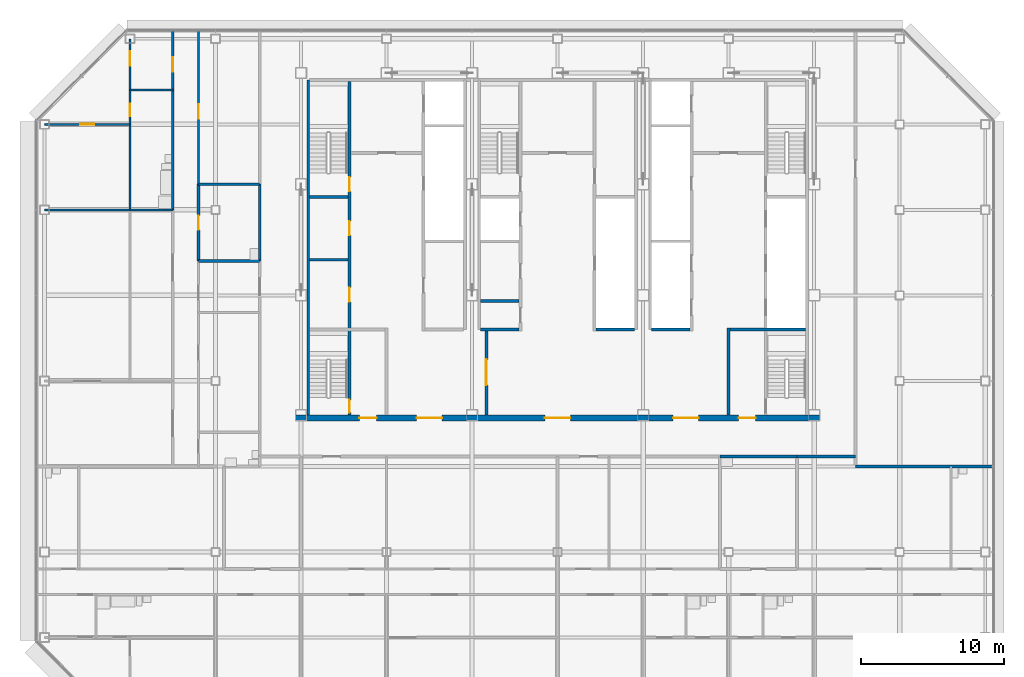
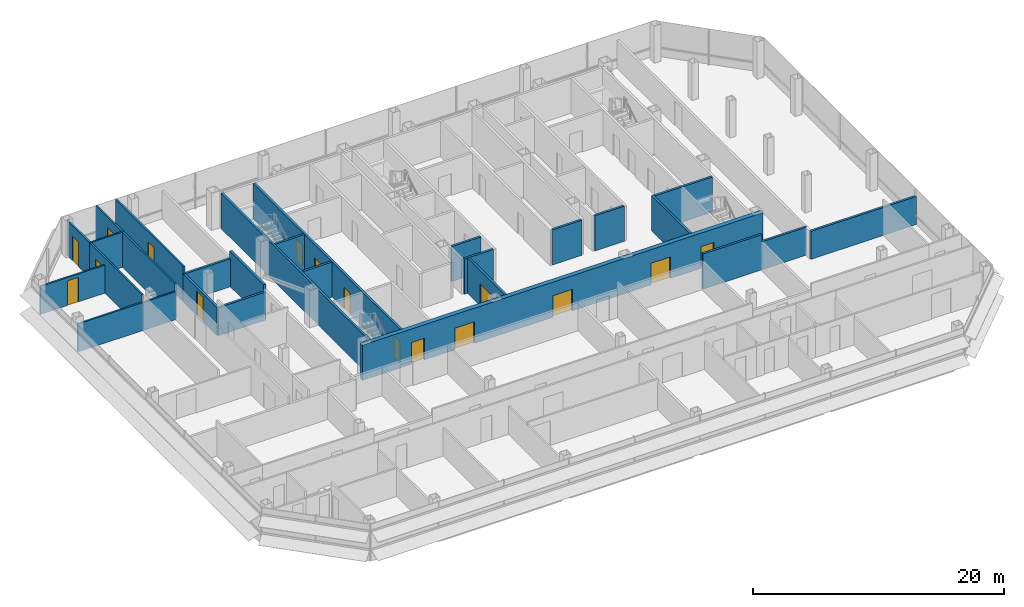
# One storey, part 22 of 26: 28 walls, 16 doors, 16 openings.
"""IFC4 building model written with IfcOpenShell, lengths in metres."""

from ifc_helpers import new_model, si_unit, direction, frame, frame_2d, origin, place, context, subcontext, project, spatial, rectangle, extrude, material, layer, layer_set, type_object, element, fill, save


model = new_model("IFC4")

# Units and contexts
model_context = context("Model", 3, precision=1e-05, world=origin(), true_north=direction((0.0, 1.0)))
body_context = subcontext(model_context, "Body", "Model", "MODEL_VIEW")
ifc_project = project(units=[si_unit("LENGTHUNIT", "METRE"), si_unit("AREAUNIT", "SQUARE_METRE"), si_unit("VOLUMEUNIT", "CUBIC_METRE"), si_unit("PLANEANGLEUNIT", "RADIAN"), si_unit("MASSUNIT", "GRAM", prefix="KILO")], contexts=[model_context])

# Site, building, storey
site_placement = place(None, origin())
site = spatial("IfcSite", under=ifc_project, at=site_placement, CompositionType="ELEMENT")
building_placement = place(site_placement, origin())
building = spatial("IfcBuilding", under=site, at=building_placement, Name="Sorahane Residences", CompositionType="ELEMENT")
storey_placement = place(building_placement, frame((0.0, 0.0, 243.199951171875)))
storey = spatial("IfcBuildingStorey", under=building, at=storey_placement, Name="L57", CompositionType="ELEMENT", Elevation=243.199951171875)

# Walls
ifc_material_1 = material(Name="Concrete C30", Category="concrete")
ifc_layer_1 = layer(ifc_material_1, 0.199951171875)
ifc_layer_set_1 = layer_set([ifc_layer_1], Name="Core face wall 200 EI 180")
wall_type_1 = type_object("IfcWallType", Name="Core face wall 200 EI 180", PredefinedType="SOLIDWALL", material=ifc_layer_set_1)
wall_1_placement = place(storey_placement, frame((6.5, 21.60009765625, 0.0), z_axis=(0.0, 0.0, 1.0), x_axis=(0.0, 1.0, 0.0)))
element("IfcWall", 1, at=wall_1_placement, inside=storey, type_object=wall_type_1, Name="L57 core face wall", PredefinedType="SOLIDWALL", context=body_context, shape_type="SweptSolid", body=[
    extrude(rectangle(XDim=23.5, YDim=0.199951171875, at=frame_2d((11.75, 0.0))), origin(), (0.0, 0.0, 1.0), 3.420166015625),
])
ifc_material_2 = material(Name="Concrete blockwork C20 wall", Category="masonry")
ifc_layer_2 = layer(ifc_material_2, 0.199951171875)
ifc_layer_set_2 = layer_set([ifc_layer_2], Name="Corridor wall 200 EI 120")
wall_type_2 = type_object("IfcWallType", Name="Corridor wall 200 EI 120", PredefinedType="SOLIDWALL", material=ifc_layer_set_2)
wall_2_placement = place(storey_placement, frame((44.89990234375, 18.0, 0.0), z_axis=(0.0, 0.0, 1.0), x_axis=(1.0, 0.0, 0.0)))
element("IfcWall", 2, at=wall_2_placement, inside=storey, type_object=wall_type_2, Name="L57 corridor wall", PredefinedType="SOLIDWALL", context=body_context, shape_type="SweptSolid", body=[
    extrude(rectangle(XDim=9.7001953125, YDim=0.199951171875, at=frame_2d((4.85009765625, 0.0))), origin(), (0.0, 0.0, 1.0), 2.719970703125),
])
wall_3_placement = place(storey_placement, frame((40.800048828125, 18.699951171875, 0.0), z_axis=(0.0, 0.0, 1.0), x_axis=(1.0, 0.0, 0.0)))
element("IfcWall", 3, at=wall_3_placement, inside=storey, type_object=wall_type_2, Name="L57 corridor wall", PredefinedType="SOLIDWALL", context=body_context, shape_type="SweptSolid", body=[
    extrude(rectangle(XDim=4.099853515625, YDim=0.199951171875, at=frame_2d((2.0498046875, 0.0))), origin(), (0.0, 0.0, 1.0), 2.719970703125),
])
ifc_material_3 = material(Name="Concrete C30", Category="concrete")
ifc_layer_3 = layer(ifc_material_3, 0.199951171875)
ifc_layer_set_3 = layer_set([ifc_layer_3], Name="Front room wall 200 EI 120")
wall_type_3 = type_object("IfcWallType", Name="Front room wall 200 EI 120", PredefinedType="PARTITIONING", material=ifc_layer_set_3)
wall_4_placement = place(storey_placement, frame((36.0, 21.60009765625, 0.0), z_axis=(0.0, 0.0, 1.0), x_axis=(0.0, 1.0, 0.0)))
element("IfcWall", 4, at=wall_4_placement, inside=storey, type_object=wall_type_3, Name="L57 front room wall", PredefinedType="PARTITIONING", context=body_context, shape_type="SweptSolid", body=[
    extrude(rectangle(XDim=6.099853515625, YDim=0.199951171875, at=frame_2d((3.0498046875, 0.0))), origin(), (0.0, 0.0, 1.0), 3.420166015625),
])

# Wall, opening, door
ifc_material_4 = material(Name="Concrete blockwork C20 wall", Category="masonry")
ifc_layer_4 = layer(ifc_material_4, 0.199951171875)
ifc_layer_set_4 = layer_set([ifc_layer_4], Name="Kitchen wall 200 EI 180")
wall_type_4 = type_object("IfcWallType", Name="Kitchen wall 200 EI 180", PredefinedType="SOLIDWALL", material=ifc_layer_set_4)
wall_5_placement = place(storey_placement, frame((-1.199951171875, 32.39990234375, 0.0), z_axis=(0.0, 0.0, 1.0), x_axis=(0.0, 1.0, 0.0)))
wall_5 = element("IfcWall", 5, at=wall_5_placement, inside=storey, type_object=wall_type_4, Name="L57 kitchen wall", PredefinedType="SOLIDWALL", context=body_context, shape_type="SweptSolid", body=[
    extrude(rectangle(XDim=5.400146484375, YDim=0.199951171875, at=frame_2d((2.7001953125, 0.0))), origin(), (0.0, 0.0, 1.0), 2.719970703125),
])
opening_1_placement = place(wall_5_placement, frame((2.199951171875, 0.0, 0.0)))
opening_1 = element("IfcOpeningElement", 6, at=opening_1_placement, cuts=wall_5, Name="Opening L57-31", PredefinedType="OPENING", context=body_context, shape_type="SweptSolid", body=[
    extrude(rectangle(XDim=1.0, YDim=2.39990234375, at=frame_2d((0.5, 1.199951171875))), frame((0.0, 0.10986328125, 0.0), z_axis=(0.0, -1.0, 0.0), x_axis=(1.0, 0.0, 0.0)), (0.0, 0.0, 1.0), 0.219970703125),
])
ifc_material_5 = material(Name="Steel", Category="steel")
door_type_1 = type_object("IfcDoorType", Name="Kitchen door 1000x2400 FD120", OperationType="NOTDEFINED", PredefinedType="DOOR", material=ifc_material_5)
door_1_placement = place(opening_1_placement, frame((1.0, 0.0, 0.0), z_axis=(0.0, 0.0, 1.0), x_axis=(-1.0, 0.0, 0.0)))
door_1 = element("IfcDoor", 7, at=door_1_placement, inside=storey, type_object=door_type_1, Name="Kitchen door L57-31", OperationType="SINGLE_SWING_LEFT", OverallHeight=2.39990234375, OverallWidth=1.0, PredefinedType="DOOR", context=body_context, shape_type="SweptSolid", body=[
    extrude(rectangle(XDim=1.0, YDim=2.39990234375, at=frame_2d((0.5, 1.199951171875))), frame((0.0, 0.02490234375, 0.0), z_axis=(0.0, -1.0, 0.0), x_axis=(1.0, 0.0, 0.0)), (0.0, 0.0, 1.0), 0.050048828125),
])
fill(opening_1, door_1)

# Walls
for number, where, z_axis, x_axis, name in (
    (8, (3.10009765625, 32.39990234375, 0.0), (0.0, 0.0, 1.0), (0.0, 1.0, 0.0), "L57 kitchen wall"),
    (9, (35.39990234375, 18.699951171875, 0.0), (0.0, 0.0, 1.0), (1.0, 0.0, 0.0), "L57 kitchen wall"),
):
    element("IfcWall", number, at=place(storey_placement, frame(where, z_axis=z_axis, x_axis=x_axis)), inside=storey, type_object=wall_type_4, Name=name, PredefinedType="SOLIDWALL", context=body_context, shape_type="SweptSolid", body=[
        extrude(rectangle(XDim=5.400146484375, YDim=0.199951171875, at=frame_2d((2.7001953125, 0.0))), origin(), (0.0, 0.0, 1.0), 3.420166015625),
    ])
for number, where, z_axis, x_axis, name in (
    (10, (-1.199951171875, 32.39990234375, 0.0), (0.0, 0.0, 1.0), (1.0, 0.0, 0.0), "L57 kitchen wall"),
    (11, (-1.199951171875, 37.800048828125, 0.0), (0.0, 0.0, 1.0), (1.0, 0.0, 0.0), "L57 kitchen wall"),
):
    element("IfcWall", number, at=place(storey_placement, frame(where, z_axis=z_axis, x_axis=x_axis)), inside=storey, type_object=wall_type_4, Name=name, PredefinedType="SOLIDWALL", context=body_context, shape_type="SweptSolid", body=[
        extrude(rectangle(XDim=4.300048828125, YDim=0.199951171875, at=frame_2d((2.14990234375, 0.0))), origin(), (0.0, 0.0, 1.0), 2.719970703125),
    ])
ifc_material_6 = material(Name="Concrete C30", Category="concrete")
ifc_layer_5 = layer(ifc_material_6, 0.199951171875)
ifc_layer_set_5 = layer_set([ifc_layer_5], Name="Lift shaft wall 200 EI 120")
wall_type_5 = type_object("IfcWallType", Name="Lift shaft wall 200 EI 120", PredefinedType="SOLIDWALL", material=ifc_layer_set_5)
wall_6_placement = place(storey_placement, frame((30.60009765625, 27.60009765625, 0.0), z_axis=(0.0, 0.0, 1.0), x_axis=(1.0, 0.0, 0.0)))
element("IfcWall", 12, at=wall_6_placement, inside=storey, type_object=wall_type_5, Name="L57 lift shaft wall", PredefinedType="SOLIDWALL", context=body_context, shape_type="SweptSolid", body=[
    extrude(rectangle(XDim=2.699951171875, YDim=0.199951171875, at=frame_2d((1.35009765625, 0.0))), origin(), (0.0, 0.0, 1.0), 3.420166015625),
])

# Wall, opening, door
ifc_material_7 = material(Name="Gypsum board partition on steel studs", Category="steel")
ifc_layer_6 = layer(ifc_material_7, 0.14990234375)
ifc_layer_set_6 = layer_set([ifc_layer_6], Name="Partition 150 EI 90")
wall_type_6 = type_object("IfcWallType", Name="Partition 150 EI 90", PredefinedType="PARTITIONING", material=ifc_layer_set_6)
wall_7_placement = place(storey_placement, frame((-1.199951171875, 37.800048828125, 0.0), z_axis=(0.0, 0.0, 1.0), x_axis=(0.0, 1.0, 0.0)))
wall_7 = element("IfcWall", 13, at=wall_7_placement, inside=storey, type_object=wall_type_6, Name="L57 partition", PredefinedType="PARTITIONING", context=body_context, shape_type="SweptSolid", body=[
    extrude(rectangle(XDim=10.800048828125, YDim=0.14990234375, at=frame_2d((5.39990234375, 0.0))), origin(), (0.0, 0.0, 1.0), 3.420166015625),
])
opening_2_placement = place(wall_7_placement, frame((4.60009765625, 0.0, 0.0)))
opening_2 = element("IfcOpeningElement", 14, at=opening_2_placement, cuts=wall_7, Name="Opening L57-32", PredefinedType="OPENING", context=body_context, shape_type="SweptSolid", body=[
    extrude(rectangle(XDim=1.0, YDim=2.39990234375, at=frame_2d((0.5, 1.199951171875))), frame((0.0, 0.0849609375, 0.0), z_axis=(0.0, -1.0, 0.0), x_axis=(1.0, 0.0, 0.0)), (0.0, 0.0, 1.0), 0.169921875),
])
ifc_material_8 = material(Name="Timber veneered fire door", Category="wood")
door_type_2 = type_object("IfcDoorType", Name="Room door 1000x2400 FD30", OperationType="NOTDEFINED", PredefinedType="DOOR", material=ifc_material_8)
door_2_placement = place(opening_2_placement, frame((1.0, 0.0, 0.0), z_axis=(0.0, 0.0, 1.0), x_axis=(-1.0, 0.0, 0.0)))
door_2 = element("IfcDoor", 15, at=door_2_placement, inside=storey, type_object=door_type_2, Name="Room door L57-32", OperationType="SINGLE_SWING_LEFT", OverallHeight=2.39990234375, OverallWidth=1.0, PredefinedType="DOOR", context=body_context, shape_type="SweptSolid", body=[
    extrude(rectangle(XDim=1.0, YDim=2.39990234375, at=frame_2d((0.5, 1.199951171875))), frame((0.0, 0.02490234375, 0.0), z_axis=(0.0, -1.0, 0.0), x_axis=(1.0, 0.0, 0.0)), (0.0, 0.0, 1.0), 0.050048828125),
])
fill(opening_2, door_2)

wall_8_placement = place(storey_placement, frame((-3.0, 44.39990234375, 0.0), z_axis=(0.0, 0.0, 1.0), x_axis=(0.0, 1.0, 0.0)))
wall_8 = element("IfcWall", 16, at=wall_8_placement, inside=storey, type_object=wall_type_6, Name="L57 partition", PredefinedType="PARTITIONING", context=body_context, shape_type="SweptSolid", body=[
    extrude(rectangle(XDim=4.2001953125, YDim=0.14990234375, at=frame_2d((2.10009765625, 0.0))), origin(), (0.0, 0.0, 1.0), 3.420166015625),
])
opening_3_placement = place(wall_8_placement, frame((1.300048828125, 0.0, 0.0)))
opening_3 = element("IfcOpeningElement", 17, at=opening_3_placement, cuts=wall_8, Name="Opening L57-36", PredefinedType="OPENING", context=body_context, shape_type="SweptSolid", body=[
    extrude(rectangle(XDim=1.0, YDim=2.39990234375, at=frame_2d((0.5, 1.199951171875))), frame((0.0, 0.0849609375, 0.0), z_axis=(0.0, -1.0, 0.0), x_axis=(1.0, 0.0, 0.0)), (0.0, 0.0, 1.0), 0.169921875),
])
door_3_placement = place(opening_3_placement, origin())
door_3 = element("IfcDoor", 18, at=door_3_placement, inside=storey, type_object=door_type_2, Name="Room door L57-36", OperationType="SINGLE_SWING_LEFT", OverallHeight=2.39990234375, OverallWidth=1.0, PredefinedType="DOOR", context=body_context, shape_type="SweptSolid", body=[
    extrude(rectangle(XDim=1.0, YDim=2.39990234375, at=frame_2d((0.5, 1.199951171875))), frame((0.0, 0.02490234375, 0.0), z_axis=(0.0, -1.0, 0.0), x_axis=(1.0, 0.0, 0.0)), (0.0, 0.0, 1.0), 0.050048828125),
])
fill(opening_3, door_3)

wall_9_placement = place(storey_placement, frame((-6.0, 44.39990234375, 0.0), z_axis=(0.0, 0.0, 1.0), x_axis=(0.0, 1.0, 0.0)))
wall_9 = element("IfcWall", 19, at=wall_9_placement, inside=storey, type_object=wall_type_6, Name="L57 partition", PredefinedType="PARTITIONING", context=body_context, shape_type="SweptSolid", body=[
    extrude(rectangle(XDim=3.60009765625, YDim=0.14990234375, at=frame_2d((1.800048828125, 0.0))), origin(), (0.0, 0.0, 1.0), 3.420166015625),
])
opening_4_placement = place(wall_9_placement, frame((1.719970703125, 0.0, 0.0)))
opening_4 = element("IfcOpeningElement", 20, at=opening_4_placement, cuts=wall_9, Name="Opening L57-37", PredefinedType="OPENING", context=body_context, shape_type="SweptSolid", body=[
    extrude(rectangle(XDim=1.0, YDim=2.39990234375, at=frame_2d((0.5, 1.199951171875))), frame((0.0, 0.0849609375, 0.0), z_axis=(0.0, -1.0, 0.0), x_axis=(1.0, 0.0, 0.0)), (0.0, 0.0, 1.0), 0.169921875),
])
door_4_placement = place(opening_4_placement, origin())
door_4 = element("IfcDoor", 21, at=door_4_placement, inside=storey, type_object=door_type_2, Name="Room door L57-37", OperationType="SINGLE_SWING_RIGHT", OverallHeight=2.39990234375, OverallWidth=1.0, PredefinedType="DOOR", context=body_context, shape_type="SweptSolid", body=[
    extrude(rectangle(XDim=1.0, YDim=2.39990234375, at=frame_2d((0.5, 1.199951171875))), frame((0.0, 0.02490234375, 0.0), z_axis=(0.0, -1.0, 0.0), x_axis=(1.0, 0.0, 0.0)), (0.0, 0.0, 1.0), 0.050048828125),
])
fill(opening_4, door_4)

# Wall
wall_10_placement = place(storey_placement, frame((-12.0, 36.0, 0.0), z_axis=(0.0, 0.0, 1.0), x_axis=(1.0, 0.0, 0.0)))
element("IfcWall", 22, at=wall_10_placement, inside=storey, type_object=wall_type_6, Name="L57 partition", PredefinedType="PARTITIONING", context=body_context, shape_type="SweptSolid", body=[
    extrude(rectangle(XDim=6.0, YDim=0.14990234375, at=frame_2d((3.0, 0.0))), origin(), (0.0, 0.0, 1.0), 2.719970703125),
])

# Wall, opening, door
wall_11_placement = place(storey_placement, frame((-12.0, 42.0, 0.0), z_axis=(0.0, 0.0, 1.0), x_axis=(1.0, 0.0, 0.0)))
wall_11 = element("IfcWall", 23, at=wall_11_placement, inside=storey, type_object=wall_type_6, Name="L57 partition", PredefinedType="PARTITIONING", context=body_context, shape_type="SweptSolid", body=[
    extrude(rectangle(XDim=6.0, YDim=0.14990234375, at=frame_2d((3.0, 0.0))), origin(), (0.0, 0.0, 1.0), 2.719970703125),
])
opening_5_placement = place(wall_11_placement, frame((2.5, 0.0, 0.0)))
opening_5 = element("IfcOpeningElement", 24, at=opening_5_placement, cuts=wall_11, Name="Opening L57-38", PredefinedType="OPENING", context=body_context, shape_type="SweptSolid", body=[
    extrude(rectangle(XDim=1.0, YDim=2.39990234375, at=frame_2d((0.5, 1.199951171875))), frame((0.0, 0.0849609375, 0.0), z_axis=(0.0, -1.0, 0.0), x_axis=(1.0, 0.0, 0.0)), (0.0, 0.0, 1.0), 0.169921875),
])
door_5_placement = place(opening_5_placement, frame((1.0, 0.0, 0.0), z_axis=(0.0, 0.0, 1.0), x_axis=(-1.0, 0.0, 0.0)))
door_5 = element("IfcDoor", 25, at=door_5_placement, inside=storey, type_object=door_type_2, Name="Room door L57-38", OperationType="SINGLE_SWING_RIGHT", OverallHeight=2.39990234375, OverallWidth=1.0, PredefinedType="DOOR", context=body_context, shape_type="SweptSolid", body=[
    extrude(rectangle(XDim=1.0, YDim=2.39990234375, at=frame_2d((0.5, 1.199951171875))), frame((0.0, 0.02490234375, 0.0), z_axis=(0.0, -1.0, 0.0), x_axis=(1.0, 0.0, 0.0)), (0.0, 0.0, 1.0), 0.050048828125),
])
fill(opening_5, door_5)

# Wall
ifc_material_9 = material(Name="Concrete C30", Category="concrete")
ifc_layer_7 = layer(ifc_material_9, 0.199951171875)
ifc_layer_set_7 = layer_set([ifc_layer_7], Name="Riser shaft wall 200 EI 120")
wall_type_7 = type_object("IfcWallType", Name="Riser shaft wall 200 EI 120", PredefinedType="SOLIDWALL", material=ifc_layer_set_7)
wall_12_placement = place(storey_placement, frame((26.699951171875, 27.60009765625, 0.0), z_axis=(0.0, 0.0, 1.0), x_axis=(1.0, 0.0, 0.0)))
element("IfcWall", 26, at=wall_12_placement, inside=storey, type_object=wall_type_7, Name="L57 riser wall", PredefinedType="SOLIDWALL", context=body_context, shape_type="SweptSolid", body=[
    extrude(rectangle(XDim=2.699951171875, YDim=0.199951171875, at=frame_2d((1.35009765625, 0.0))), origin(), (0.0, 0.0, 1.0), 3.420166015625),
])

# Wall, opening, door
ifc_material_10 = material(Name="Concrete C30", Category="concrete")
ifc_layer_8 = layer(ifc_material_10, 0.199951171875)
ifc_layer_set_8 = layer_set([ifc_layer_8], Name="Service room partition 200 EI 60")
wall_type_8 = type_object("IfcWallType", Name="Service room partition 200 EI 60", PredefinedType="PARTITIONING", material=ifc_layer_set_8)
wall_13_placement = place(storey_placement, frame((19.0, 21.60009765625, 0.0), z_axis=(0.0, 0.0, 1.0), x_axis=(0.0, 1.0, 0.0)))
wall_13 = element("IfcWall", 27, at=wall_13_placement, inside=storey, type_object=wall_type_8, Name="L57 service room wall", PredefinedType="PARTITIONING", context=body_context, shape_type="SweptSolid", body=[
    extrude(rectangle(XDim=6.0, YDim=0.199951171875, at=frame_2d((3.0, 0.0))), origin(), (0.0, 0.0, 1.0), 3.420166015625),
])
opening_6_placement = place(wall_13_placement, frame((2.10009765625, 0.0, 0.0)))
opening_6 = element("IfcOpeningElement", 28, at=opening_6_placement, cuts=wall_13, Name="Opening L57-C02", PredefinedType="OPENING", context=body_context, shape_type="SweptSolid", body=[
    extrude(rectangle(XDim=1.800048828125, YDim=2.10009765625, at=frame_2d((0.89990234375, 1.050048828125))), frame((0.0, 0.10986328125, 0.0), z_axis=(0.0, -1.0, 0.0), x_axis=(1.0, 0.0, 0.0)), (0.0, 0.0, 1.0), 0.219970703125),
])
ifc_material_11 = material(Name="Steel", Category="steel")
door_type_3 = type_object("IfcDoorType", Name="Waiting hall door 1800x2100 FD60", OperationType="NOTDEFINED", PredefinedType="DOOR", material=ifc_material_11)
door_6_placement = place(opening_6_placement, origin())
door_6 = element("IfcDoor", 29, at=door_6_placement, inside=storey, type_object=door_type_3, Name="Waiting hall door Residents' waiting hall west L57", OperationType="SINGLE_SWING_LEFT", OverallHeight=2.10009765625, OverallWidth=1.800048828125, PredefinedType="DOOR", context=body_context, shape_type="SweptSolid", body=[
    extrude(rectangle(XDim=1.800048828125, YDim=2.10009765625, at=frame_2d((0.89990234375, 1.050048828125))), frame((0.0, 0.02490234375, 0.0), z_axis=(0.0, -1.0, 0.0), x_axis=(1.0, 0.0, 0.0)), (0.0, 0.0, 1.0), 0.050048828125),
])
fill(opening_6, door_6)

# Walls
for number, where, z_axis, x_axis, name in (
    (30, (18.60009765625, 27.60009765625, 0.0), (0.0, 0.0, 1.0), (1.0, 0.0, 0.0), "L57 service room wall"),
    (31, (18.60009765625, 29.60009765625, 0.0), (0.0, 0.0, 1.0), (1.0, 0.0, 0.0), "L57 service room wall"),
    (32, (6.60009765625, 32.5, 0.0), (0.0, 0.0, 1.0), (1.0, 0.0, 0.0), "L57 service room wall"),
):
    element("IfcWall", number, at=place(storey_placement, frame(where, z_axis=z_axis, x_axis=x_axis)), inside=storey, type_object=wall_type_8, Name=name, PredefinedType="PARTITIONING", context=body_context, shape_type="SweptSolid", body=[
        extrude(rectangle(XDim=2.699951171875, YDim=0.199951171875, at=frame_2d((1.35009765625, 0.0))), origin(), (0.0, 0.0, 1.0), 3.420166015625),
    ])

# Wall, openings, doors
ifc_material_12 = material(Name="Concrete C30", Category="concrete")
ifc_layer_9 = layer(ifc_material_12, 0.199951171875)
ifc_layer_set_9 = layer_set([ifc_layer_9], Name="Stair enclosure wall 200 EI 120")
wall_type_9 = type_object("IfcWallType", Name="Stair enclosure wall 200 EI 120", PredefinedType="SOLIDWALL", material=ifc_layer_set_9)
wall_14_placement = place(storey_placement, frame((9.39990234375, 21.60009765625, 0.0), z_axis=(0.0, 0.0, 1.0), x_axis=(0.0, 1.0, 0.0)))
wall_14 = element("IfcWall", 33, at=wall_14_placement, inside=storey, type_object=wall_type_9, Name="L57 stair enclosure wall", PredefinedType="SOLIDWALL", context=body_context, shape_type="SweptSolid", body=[
    extrude(rectangle(XDim=23.39990234375, YDim=0.199951171875, at=frame_2d((11.699951171875, 0.0))), origin(), (0.0, 0.0, 1.0), 3.420166015625),
])
opening_7_placement = place(wall_14_placement, frame((7.949951171875, 0.0, 0.0)))
opening_7 = element("IfcOpeningElement", 34, at=opening_7_placement, cuts=wall_14, Name="Opening L57-C20", PredefinedType="OPENING", context=body_context, shape_type="SweptSolid", body=[
    extrude(rectangle(XDim=1.0, YDim=2.10009765625, at=frame_2d((0.5, 1.050048828125))), frame((0.0, 0.10986328125, 0.0), z_axis=(0.0, -1.0, 0.0), x_axis=(1.0, 0.0, 0.0)), (0.0, 0.0, 1.0), 0.219970703125),
])
opening_8_placement = place(wall_14_placement, frame((12.60009765625, 0.0, 0.0)))
opening_8 = element("IfcOpeningElement", 35, at=opening_8_placement, cuts=wall_14, Name="Opening L57-C21", PredefinedType="OPENING", context=body_context, shape_type="SweptSolid", body=[
    extrude(rectangle(XDim=1.0, YDim=2.10009765625, at=frame_2d((0.5, 1.050048828125))), frame((0.0, 0.10986328125, 0.0), z_axis=(0.0, -1.0, 0.0), x_axis=(1.0, 0.0, 0.0)), (0.0, 0.0, 1.0), 0.219970703125),
])
opening_9_placement = place(wall_14_placement, frame((15.699951171875, 0.0, 0.0)))
opening_9 = element("IfcOpeningElement", 36, at=opening_9_placement, cuts=wall_14, Name="Opening L57-C22", PredefinedType="OPENING", context=body_context, shape_type="SweptSolid", body=[
    extrude(rectangle(XDim=1.0, YDim=2.10009765625, at=frame_2d((0.5, 1.050048828125))), frame((0.0, 0.10986328125, 0.0), z_axis=(0.0, -1.0, 0.0), x_axis=(1.0, 0.0, 0.0)), (0.0, 0.0, 1.0), 0.219970703125),
])
opening_10_placement = place(wall_14_placement, frame((0.175048828125, 0.0, 0.0)))
opening_10 = element("IfcOpeningElement", 37, at=opening_10_placement, cuts=wall_14, Name="Opening L57-C25", PredefinedType="OPENING", context=body_context, shape_type="SweptSolid", body=[
    extrude(rectangle(XDim=0.89990234375, YDim=2.10009765625, at=frame_2d((0.449951171875, 1.050048828125))), frame((0.0, 0.10986328125, 0.0), z_axis=(0.0, -1.0, 0.0), x_axis=(1.0, 0.0, 0.0)), (0.0, 0.0, 1.0), 0.219970703125),
])
ifc_material_13 = material(Name="Steel", Category="steel")
door_type_4 = type_object("IfcDoorType", Name="Service room door 1000x2100 FD60", OperationType="NOTDEFINED", PredefinedType="DOOR", material=ifc_material_13)
door_7_placement = place(opening_7_placement, origin())
door_7 = element("IfcDoor", 38, at=door_7_placement, inside=storey, type_object=door_type_4, Name="Service room door Guest suite store L57", OperationType="SINGLE_SWING_LEFT", OverallHeight=2.10009765625, OverallWidth=1.0, PredefinedType="DOOR", context=body_context, shape_type="SweptSolid", body=[
    extrude(rectangle(XDim=1.0, YDim=2.10009765625, at=frame_2d((0.5, 1.050048828125))), frame((0.0, 0.02490234375, 0.0), z_axis=(0.0, -1.0, 0.0), x_axis=(1.0, 0.0, 0.0)), (0.0, 0.0, 1.0), 0.050048828125),
])
fill(opening_7, door_7)
door_8_placement = place(opening_8_placement, origin())
door_8 = element("IfcDoor", 39, at=door_8_placement, inside=storey, type_object=door_type_4, Name="Service room door Linen store L57", OperationType="SINGLE_SWING_RIGHT", OverallHeight=2.10009765625, OverallWidth=1.0, PredefinedType="DOOR", context=body_context, shape_type="SweptSolid", body=[
    extrude(rectangle(XDim=1.0, YDim=2.10009765625, at=frame_2d((0.5, 1.050048828125))), frame((0.0, 0.02490234375, 0.0), z_axis=(0.0, -1.0, 0.0), x_axis=(1.0, 0.0, 0.0)), (0.0, 0.0, 1.0), 0.050048828125),
])
fill(opening_8, door_8)
ifc_material_14 = material(Name="Steel", Category="steel")
door_type_5 = type_object("IfcDoorType", Name="Stair door 1000x2100 FD120", OperationType="NOTDEFINED", PredefinedType="DOOR", material=ifc_material_14)
door_9_placement = place(opening_9_placement, origin())
door_9 = element("IfcDoor", 40, at=door_9_placement, inside=storey, type_object=door_type_5, Name="Stair door S1 L57", OperationType="SINGLE_SWING_LEFT", OverallHeight=2.10009765625, OverallWidth=1.0, PredefinedType="DOOR", context=body_context, shape_type="SweptSolid", body=[
    extrude(rectangle(XDim=1.0, YDim=2.10009765625, at=frame_2d((0.5, 1.050048828125))), frame((0.0, 0.02490234375, 0.0), z_axis=(0.0, -1.0, 0.0), x_axis=(1.0, 0.0, 0.0)), (0.0, 0.0, 1.0), 0.050048828125),
])
fill(opening_9, door_9)
ifc_material_15 = material(Name="Steel", Category="steel")
door_type_6 = type_object("IfcDoorType", Name="Stair door 900x2100 FD120", OperationType="NOTDEFINED", PredefinedType="DOOR", material=ifc_material_15)
door_10_placement = place(opening_10_placement, origin())
door_10 = element("IfcDoor", 41, at=door_10_placement, inside=storey, type_object=door_type_6, Name="Stair door S4 L57", OperationType="SINGLE_SWING_LEFT", OverallHeight=2.10009765625, OverallWidth=0.89990234375, PredefinedType="DOOR", context=body_context, shape_type="SweptSolid", body=[
    extrude(rectangle(XDim=0.89990234375, YDim=2.10009765625, at=frame_2d((0.449951171875, 1.050048828125))), frame((0.0, 0.02490234375, 0.0), z_axis=(0.0, -1.0, 0.0), x_axis=(1.0, 0.0, 0.0)), (0.0, 0.0, 1.0), 0.050048828125),
])
fill(opening_10, door_10)

# Walls
wall_15_placement = place(storey_placement, frame((36.10009765625, 27.60009765625, 0.0), z_axis=(0.0, 0.0, 1.0), x_axis=(1.0, 0.0, 0.0)))
element("IfcWall", 42, at=wall_15_placement, inside=storey, type_object=wall_type_9, Name="L57 stair enclosure wall", PredefinedType="SOLIDWALL", context=body_context, shape_type="SweptSolid", body=[
    extrude(rectangle(XDim=5.2998046875, YDim=0.199951171875, at=frame_2d((2.64990234375, 0.0))), origin(), (0.0, 0.0, 1.0), 3.420166015625),
])
wall_16_placement = place(storey_placement, frame((6.60009765625, 36.89990234375, 0.0), z_axis=(0.0, 0.0, 1.0), x_axis=(1.0, 0.0, 0.0)))
element("IfcWall", 43, at=wall_16_placement, inside=storey, type_object=wall_type_9, Name="L57 stair enclosure wall", PredefinedType="SOLIDWALL", context=body_context, shape_type="SweptSolid", body=[
    extrude(rectangle(XDim=2.699951171875, YDim=0.199951171875, at=frame_2d((1.35009765625, 0.0))), origin(), (0.0, 0.0, 1.0), 3.420166015625),
])

# Wall, openings, doors
ifc_material_16 = material(Name="Concrete C30", Category="concrete")
ifc_layer_10 = layer(ifc_material_16, 0.39990234375)
ifc_layer_set_10 = layer_set([ifc_layer_10], Name="Waiting hall wall 400 EI 120")
wall_type_10 = type_object("IfcWallType", Name="Waiting hall wall 400 EI 120", PredefinedType="SOLIDWALL", material=ifc_layer_set_10)
wall_17_placement = place(storey_placement, frame((5.60009765625, 21.39990234375, 0.0), z_axis=(0.0, 0.0, 1.0), x_axis=(1.0, 0.0, 0.0)))
wall_17 = element("IfcWall", 44, at=wall_17_placement, inside=storey, type_object=wall_type_10, Name="L57 waiting hall wall", PredefinedType="SOLIDWALL", context=body_context, shape_type="SweptSolid", body=[
    extrude(rectangle(XDim=36.7998046875, YDim=0.39990234375, at=frame_2d((18.39990234375, 0.0))), origin(), (0.0, 0.0, 1.0), 3.420166015625),
])
opening_11_placement = place(wall_17_placement, frame((8.5, 0.0, 0.0)))
opening_11 = element("IfcOpeningElement", 45, at=opening_11_placement, cuts=wall_17, Name="Opening L57-C01", PredefinedType="OPENING", context=body_context, shape_type="SweptSolid", body=[
    extrude(rectangle(XDim=1.800048828125, YDim=2.10009765625, at=frame_2d((0.89990234375, 1.050048828125))), frame((0.0, 0.2099609375, 0.0), z_axis=(0.0, -1.0, 0.0), x_axis=(1.0, 0.0, 0.0)), (0.0, 0.0, 1.0), 0.419921875),
])
opening_12_placement = place(wall_17_placement, frame((17.5, 0.0, 0.0)))
opening_12 = element("IfcOpeningElement", 46, at=opening_12_placement, cuts=wall_17, Name="Opening L57-C03", PredefinedType="OPENING", context=body_context, shape_type="SweptSolid", body=[
    extrude(rectangle(XDim=1.800048828125, YDim=2.10009765625, at=frame_2d((0.89990234375, 1.050048828125))), frame((0.0, 0.2099609375, 0.0), z_axis=(0.0, -1.0, 0.0), x_axis=(1.0, 0.0, 0.0)), (0.0, 0.0, 1.0), 0.419921875),
])
opening_13_placement = place(wall_17_placement, frame((26.5, 0.0, 0.0)))
opening_13 = element("IfcOpeningElement", 47, at=opening_13_placement, cuts=wall_17, Name="Opening L57-C04", PredefinedType="OPENING", context=body_context, shape_type="SweptSolid", body=[
    extrude(rectangle(XDim=1.800048828125, YDim=2.10009765625, at=frame_2d((0.89990234375, 1.050048828125))), frame((0.0, 0.2099609375, 0.0), z_axis=(0.0, -1.0, 0.0), x_axis=(1.0, 0.0, 0.0)), (0.0, 0.0, 1.0), 0.419921875),
])
opening_14_placement = place(wall_17_placement, frame((4.5, 0.0, 0.0)))
opening_14 = element("IfcOpeningElement", 48, at=opening_14_placement, cuts=wall_17, Name="Opening L57-C05", PredefinedType="OPENING", context=body_context, shape_type="SweptSolid", body=[
    extrude(rectangle(XDim=1.199951171875, YDim=2.10009765625, at=frame_2d((0.60009765625, 1.050048828125))), frame((0.0, 0.2099609375, 0.0), z_axis=(0.0, -1.0, 0.0), x_axis=(1.0, 0.0, 0.0)), (0.0, 0.0, 1.0), 0.419921875),
])
opening_15_placement = place(wall_17_placement, frame((31.10009765625, 0.0, 0.0)))
opening_15 = element("IfcOpeningElement", 49, at=opening_15_placement, cuts=wall_17, Name="Opening L57-C06", PredefinedType="OPENING", context=body_context, shape_type="SweptSolid", body=[
    extrude(rectangle(XDim=1.199951171875, YDim=2.10009765625, at=frame_2d((0.60009765625, 1.050048828125))), frame((0.0, 0.2099609375, 0.0), z_axis=(0.0, -1.0, 0.0), x_axis=(1.0, 0.0, 0.0)), (0.0, 0.0, 1.0), 0.419921875),
])
ifc_material_17 = material(Name="Steel", Category="steel")
door_type_7 = type_object("IfcDoorType", Name="Stair front room door 1200x2100 FD120", OperationType="NOTDEFINED", PredefinedType="DOOR", material=ifc_material_17)
door_11_placement = place(opening_14_placement, frame((1.199951171875, 0.0, 0.0), z_axis=(0.0, 0.0, 1.0), x_axis=(-1.0, 0.0, 0.0)))
door_11 = element("IfcDoor", 50, at=door_11_placement, inside=storey, type_object=door_type_7, Name="Stair front room door Stair S4 front room L57", OperationType="SINGLE_SWING_LEFT", OverallHeight=2.10009765625, OverallWidth=1.199951171875, PredefinedType="DOOR", context=body_context, shape_type="SweptSolid", body=[
    extrude(rectangle(XDim=1.199951171875, YDim=2.10009765625, at=frame_2d((0.60009765625, 1.050048828125))), frame((0.0, 0.02490234375, 0.0), z_axis=(0.0, -1.0, 0.0), x_axis=(1.0, 0.0, 0.0)), (0.0, 0.0, 1.0), 0.050048828125),
])
fill(opening_14, door_11)
door_12_placement = place(opening_15_placement, frame((1.199951171875, 0.0, 0.0), z_axis=(0.0, 0.0, 1.0), x_axis=(-1.0, 0.0, 0.0)))
door_12 = element("IfcDoor", 51, at=door_12_placement, inside=storey, type_object=door_type_7, Name="Stair front room door Stair S5 front room L57", OperationType="SINGLE_SWING_LEFT", OverallHeight=2.10009765625, OverallWidth=1.199951171875, PredefinedType="DOOR", context=body_context, shape_type="SweptSolid", body=[
    extrude(rectangle(XDim=1.199951171875, YDim=2.10009765625, at=frame_2d((0.60009765625, 1.050048828125))), frame((0.0, 0.02490234375, 0.0), z_axis=(0.0, -1.0, 0.0), x_axis=(1.0, 0.0, 0.0)), (0.0, 0.0, 1.0), 0.050048828125),
])
fill(opening_15, door_12)
door_13_placement = place(opening_11_placement, frame((1.800048828125, 0.0, 0.0), z_axis=(0.0, 0.0, 1.0), x_axis=(-1.0, 0.0, 0.0)))
door_13 = element("IfcDoor", 52, at=door_13_placement, inside=storey, type_object=door_type_3, Name="Waiting hall door Residents' waiting hall west L57", OperationType="SINGLE_SWING_LEFT", OverallHeight=2.10009765625, OverallWidth=1.800048828125, PredefinedType="DOOR", context=body_context, shape_type="SweptSolid", body=[
    extrude(rectangle(XDim=1.800048828125, YDim=2.10009765625, at=frame_2d((0.89990234375, 1.050048828125))), frame((0.0, 0.02490234375, 0.0), z_axis=(0.0, -1.0, 0.0), x_axis=(1.0, 0.0, 0.0)), (0.0, 0.0, 1.0), 0.050048828125),
])
fill(opening_11, door_13)
door_14_placement = place(opening_12_placement, frame((1.800048828125, 0.0, 0.0), z_axis=(0.0, 0.0, 1.0), x_axis=(-1.0, 0.0, 0.0)))
door_14 = element("IfcDoor", 53, at=door_14_placement, inside=storey, type_object=door_type_3, Name="Waiting hall door Residents' waiting hall east L57", OperationType="SINGLE_SWING_LEFT", OverallHeight=2.10009765625, OverallWidth=1.800048828125, PredefinedType="DOOR", context=body_context, shape_type="SweptSolid", body=[
    extrude(rectangle(XDim=1.800048828125, YDim=2.10009765625, at=frame_2d((0.89990234375, 1.050048828125))), frame((0.0, 0.02490234375, 0.0), z_axis=(0.0, -1.0, 0.0), x_axis=(1.0, 0.0, 0.0)), (0.0, 0.0, 1.0), 0.050048828125),
])
fill(opening_12, door_14)
door_15_placement = place(opening_13_placement, frame((1.800048828125, 0.0, 0.0), z_axis=(0.0, 0.0, 1.0), x_axis=(-1.0, 0.0, 0.0)))
door_15 = element("IfcDoor", 54, at=door_15_placement, inside=storey, type_object=door_type_3, Name="Waiting hall door Residents' waiting hall east L57", OperationType="SINGLE_SWING_LEFT", OverallHeight=2.10009765625, OverallWidth=1.800048828125, PredefinedType="DOOR", context=body_context, shape_type="SweptSolid", body=[
    extrude(rectangle(XDim=1.800048828125, YDim=2.10009765625, at=frame_2d((0.89990234375, 1.050048828125))), frame((0.0, 0.02490234375, 0.0), z_axis=(0.0, -1.0, 0.0), x_axis=(1.0, 0.0, 0.0)), (0.0, 0.0, 1.0), 0.050048828125),
])
fill(opening_13, door_15)

# Wall
ifc_material_18 = material(Name="Gypsum board partition on steel studs", Category="steel")
ifc_layer_11 = layer(ifc_material_18, 0.14990234375)
ifc_layer_set_11 = layer_set([ifc_layer_11], Name="Wet wall 150 EI 90")
wall_type_11 = type_object("IfcWallType", Name="Wet wall 150 EI 90", PredefinedType="PARTITIONING", material=ifc_layer_set_11)
wall_18_placement = place(storey_placement, frame((-3.0, 36.0, 0.0), z_axis=(0.0, 0.0, 1.0), x_axis=(0.0, 1.0, 0.0)))
element("IfcWall", 55, at=wall_18_placement, inside=storey, type_object=wall_type_11, Name="L57 wet wall", PredefinedType="PARTITIONING", context=body_context, shape_type="SweptSolid", body=[
    extrude(rectangle(XDim=8.39990234375, YDim=0.14990234375, at=frame_2d((4.199951171875, 0.0))), origin(), (0.0, 0.0, 1.0), 3.420166015625),
])

# Wall, opening, door
wall_19_placement = place(storey_placement, frame((-6.0, 36.0, 0.0), z_axis=(0.0, 0.0, 1.0), x_axis=(0.0, 1.0, 0.0)))
wall_19 = element("IfcWall", 56, at=wall_19_placement, inside=storey, type_object=wall_type_11, Name="L57 wet wall", PredefinedType="PARTITIONING", context=body_context, shape_type="SweptSolid", body=[
    extrude(rectangle(XDim=8.39990234375, YDim=0.14990234375, at=frame_2d((4.199951171875, 0.0))), origin(), (0.0, 0.0, 1.0), 3.420166015625),
])
opening_16_placement = place(wall_19_placement, frame((6.550048828125, 0.0, 0.0)))
opening_16 = element("IfcOpeningElement", 57, at=opening_16_placement, cuts=wall_19, Name="Opening L57-39", PredefinedType="OPENING", context=body_context, shape_type="SweptSolid", body=[
    extrude(rectangle(XDim=0.89990234375, YDim=2.39990234375, at=frame_2d((0.449951171875, 1.199951171875))), frame((0.0, 0.0849609375, 0.0), z_axis=(0.0, -1.0, 0.0), x_axis=(1.0, 0.0, 0.0)), (0.0, 0.0, 1.0), 0.169921875),
])
ifc_material_19 = material(Name="Timber veneered fire door", Category="wood")
door_type_8 = type_object("IfcDoorType", Name="Bathroom door 900x2400 FD30", OperationType="NOTDEFINED", PredefinedType="DOOR", material=ifc_material_19)
door_16_placement = place(opening_16_placement, origin())
door_16 = element("IfcDoor", 58, at=door_16_placement, inside=storey, type_object=door_type_8, Name="Bathroom door L57-39", OperationType="SINGLE_SWING_LEFT", OverallHeight=2.39990234375, OverallWidth=0.89990234375, PredefinedType="DOOR", context=body_context, shape_type="SweptSolid", body=[
    extrude(rectangle(XDim=0.89990234375, YDim=2.39990234375, at=frame_2d((0.449951171875, 1.199951171875))), frame((0.0, 0.02490234375, 0.0), z_axis=(0.0, -1.0, 0.0), x_axis=(1.0, 0.0, 0.0)), (0.0, 0.0, 1.0), 0.050048828125),
])
fill(opening_16, door_16)

# Walls
wall_20_placement = place(storey_placement, frame((-6.0, 36.0, 0.0), z_axis=(0.0, 0.0, 1.0), x_axis=(1.0, 0.0, 0.0)))
element("IfcWall", 59, at=wall_20_placement, inside=storey, type_object=wall_type_11, Name="L57 wet wall", PredefinedType="PARTITIONING", context=body_context, shape_type="SweptSolid", body=[
    extrude(rectangle(XDim=3.0, YDim=0.14990234375, at=frame_2d((1.5, 0.0))), origin(), (0.0, 0.0, 1.0), 2.719970703125),
])
wall_21_placement = place(storey_placement, frame((-6.0, 44.39990234375, 0.0), z_axis=(0.0, 0.0, 1.0), x_axis=(1.0, 0.0, 0.0)))
element("IfcWall", 60, at=wall_21_placement, inside=storey, type_object=wall_type_11, Name="L57 wet wall", PredefinedType="PARTITIONING", context=body_context, shape_type="SweptSolid", body=[
    extrude(rectangle(XDim=3.0, YDim=0.14990234375, at=frame_2d((1.5, 0.0))), origin(), (0.0, 0.0, 1.0), 3.420166015625),
])

save(model, "model.ifc")
